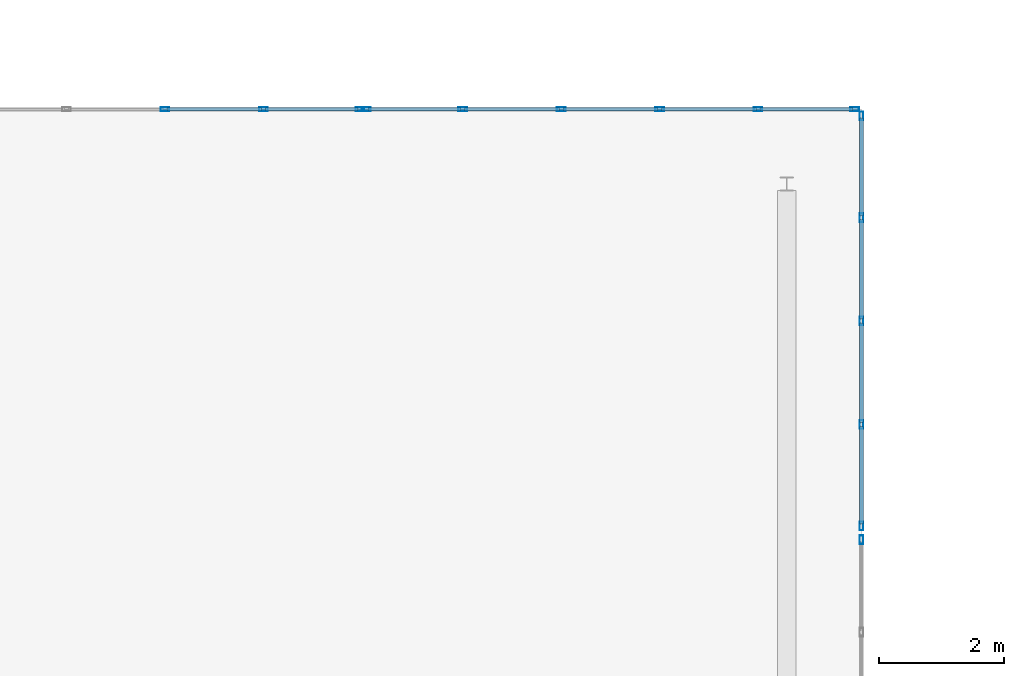
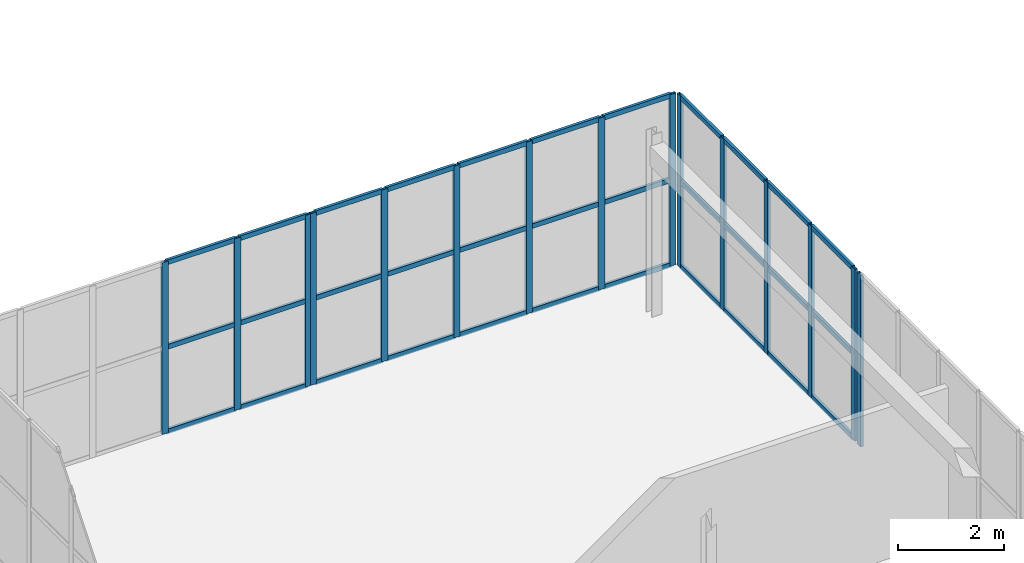
# One storey, part 48 of 81: 48 members, 4 elements without a shape of their own.
"""IFC4 building model written with IfcOpenShell, lengths in metres."""

from ifc_helpers import new_model, si_unit, direction, frame, origin, origin_2d, place, context, subcontext, project, spatial, hollow_rectangle, extrude, material, layer, layer_set, material_profile, profile_set, type_object, element, aggregate, save


model = new_model("IFC4")

# Units and contexts
model_context = context("Model", 3, precision=1e-05, world=origin(), true_north=direction((0.0, 1.0)))
body_context = subcontext(model_context, "Body", "Model", "MODEL_VIEW")
ifc_project = project(units=[si_unit("LENGTHUNIT", "METRE"), si_unit("AREAUNIT", "SQUARE_METRE"), si_unit("VOLUMEUNIT", "CUBIC_METRE"), si_unit("PLANEANGLEUNIT", "RADIAN"), si_unit("MASSUNIT", "GRAM", prefix="KILO")], contexts=[model_context])

# Site, building, storey
site_placement = place(None, origin())
site = spatial("IfcSite", under=ifc_project, at=site_placement, CompositionType="ELEMENT")
building_placement = place(site_placement, origin())
building = spatial("IfcBuilding", under=site, at=building_placement, Name="Trelvath General Hospital", CompositionType="ELEMENT")
storey_placement = place(building_placement, frame((0.0, 0.0, 24.60009765625)))
storey = spatial("IfcBuildingStorey", under=building, at=storey_placement, Name="L06", CompositionType="ELEMENT", Elevation=24.60009765625)

# Curtain wall, members
ifc_material_1 = material(Name="Anodised aluminium and low-E glass", Category="aluminium")
ifc_layer_1 = layer(ifc_material_1, 0.139892578125)
ifc_layer_set_1 = layer_set([ifc_layer_1], Name="Anodised aluminium and low-E glass")
curtain_wall_type_1 = type_object("IfcCurtainWallType", Name="CW CrystalCube 790 396 14", PredefinedType="USERDEFINED", material=ifc_layer_set_1)
curtain_wall_1_placement = place(storey_placement, origin())
curtain_wall_1 = element("IfcCurtainWall", 1, at=curtain_wall_1_placement, inside=storey, type_object=curtain_wall_type_1, Name="Crystal Cube Curtain Wall CUBE-E-T2 N1 L06", ObjectType="Unitised Glazed Curtain Wall", PredefinedType="USERDEFINED")
ifc_material_2 = material(Name="Anodised aluminium", Category="aluminium")
ifc_material_profile_1 = material_profile(ifc_material_2, hollow_rectangle(XDim=0.06005859375, YDim=0.139892578125, WallThickness=0.00390625, at=origin_2d()), Name="RHS60x140x4")
ifc_profile_set_1 = profile_set([ifc_material_profile_1], Name="Anodised aluminium")
member_type_1 = type_object("IfcMemberType", Name="CurtainMullion 60x140", PredefinedType="MULLION", material=ifc_profile_set_1)
member_1_placement = place(storey_placement, frame((97.219970703125, 74.0, 0.0), z_axis=(0.0, 0.0, 1.0), x_axis=(0.0, 1.0, 0.0)))
member_1 = element("IfcMember", 2, at=member_1_placement, type_object=member_type_1, Name="CW-334 mullion 4", PredefinedType="MULLION", context=body_context, shape_type="SweptSolid", body=[
    extrude(hollow_rectangle(XDim=0.06005859375, YDim=0.139892578125, WallThickness=0.00390625, at=origin_2d()), origin(), (0.0, 0.0, 1.0), 3.9599609375),
])
member_2_placement = place(storey_placement, frame((98.800048828125, 74.0, 0.0), z_axis=(0.0, 0.0, 1.0), x_axis=(0.0, 1.0, 0.0)))
member_2 = element("IfcMember", 3, at=member_2_placement, type_object=member_type_1, Name="CW-334 mullion 5", PredefinedType="MULLION", context=body_context, shape_type="SweptSolid", body=[
    extrude(hollow_rectangle(XDim=0.06005859375, YDim=0.139892578125, WallThickness=0.00390625, at=origin_2d()), origin(), (0.0, 0.0, 1.0), 3.9599609375),
])
member_3_placement = place(storey_placement, frame((100.35009765625, 74.0, 0.0), z_axis=(0.0, 0.0, 1.0), x_axis=(0.0, 1.0, 0.0)))
member_3 = element("IfcMember", 4, at=member_3_placement, type_object=member_type_1, Name="CW-334 mullion 6", PredefinedType="MULLION", context=body_context, shape_type="SweptSolid", body=[
    extrude(hollow_rectangle(XDim=0.06005859375, YDim=0.139892578125, WallThickness=0.00390625, at=origin_2d()), origin(), (0.0, 0.0, 1.0), 3.9599609375),
])

curtain_wall_2_placement = place(storey_placement, origin())
curtain_wall_2 = element("IfcCurtainWall", 5, at=curtain_wall_2_placement, inside=storey, type_object=curtain_wall_type_1, Name="Crystal Cube Curtain Wall CUBE-E-T2 N2 L06", ObjectType="Unitised Glazed Curtain Wall", PredefinedType="USERDEFINED")
member_4_placement = place(storey_placement, frame((100.449951171875, 74.0, 0.0), z_axis=(0.0, 0.0, 1.0), x_axis=(0.0, 1.0, 0.0)))
member_4 = element("IfcMember", 6, at=member_4_placement, type_object=member_type_1, Name="CW-335 mullion 1", PredefinedType="MULLION", context=body_context, shape_type="SweptSolid", body=[
    extrude(hollow_rectangle(XDim=0.06005859375, YDim=0.139892578125, WallThickness=0.00390625, at=origin_2d()), origin(), (0.0, 0.0, 1.0), 3.9599609375),
])
member_5_placement = place(storey_placement, frame((102.0, 74.0, 0.0), z_axis=(0.0, 0.0, 1.0), x_axis=(0.0, 1.0, 0.0)))
member_5 = element("IfcMember", 7, at=member_5_placement, type_object=member_type_1, Name="CW-335 mullion 2", PredefinedType="MULLION", context=body_context, shape_type="SweptSolid", body=[
    extrude(hollow_rectangle(XDim=0.06005859375, YDim=0.139892578125, WallThickness=0.00390625, at=origin_2d()), origin(), (0.0, 0.0, 1.0), 3.9599609375),
])
member_6_placement = place(storey_placement, frame((103.580078125, 74.0, 0.0), z_axis=(0.0, 0.0, 1.0), x_axis=(0.0, 1.0, 0.0)))
member_6 = element("IfcMember", 8, at=member_6_placement, type_object=member_type_1, Name="CW-335 mullion 3", PredefinedType="MULLION", context=body_context, shape_type="SweptSolid", body=[
    extrude(hollow_rectangle(XDim=0.06005859375, YDim=0.139892578125, WallThickness=0.00390625, at=origin_2d()), origin(), (0.0, 0.0, 1.0), 3.9599609375),
])
member_7_placement = place(storey_placement, frame((105.159912109375, 74.0, 0.0), z_axis=(0.0, 0.0, 1.0), x_axis=(0.0, 1.0, 0.0)))
member_7 = element("IfcMember", 9, at=member_7_placement, type_object=member_type_1, Name="CW-335 mullion 4", PredefinedType="MULLION", context=body_context, shape_type="SweptSolid", body=[
    extrude(hollow_rectangle(XDim=0.06005859375, YDim=0.139892578125, WallThickness=0.00390625, at=origin_2d()), origin(), (0.0, 0.0, 1.0), 3.9599609375),
])
member_8_placement = place(storey_placement, frame((106.739990234375, 74.0, 0.0), z_axis=(0.0, 0.0, 1.0), x_axis=(0.0, 1.0, 0.0)))
member_8 = element("IfcMember", 10, at=member_8_placement, type_object=member_type_1, Name="CW-335 mullion 5", PredefinedType="MULLION", context=body_context, shape_type="SweptSolid", body=[
    extrude(hollow_rectangle(XDim=0.06005859375, YDim=0.139892578125, WallThickness=0.00390625, at=origin_2d()), origin(), (0.0, 0.0, 1.0), 3.9599609375),
])
member_9_placement = place(storey_placement, frame((108.2900390625, 74.0, 0.0), z_axis=(0.0, 0.0, 1.0), x_axis=(0.0, 1.0, 0.0)))
member_9 = element("IfcMember", 11, at=member_9_placement, type_object=member_type_1, Name="CW-335 mullion 6", PredefinedType="MULLION", context=body_context, shape_type="SweptSolid", body=[
    extrude(hollow_rectangle(XDim=0.06005859375, YDim=0.139892578125, WallThickness=0.00390625, at=origin_2d()), origin(), (0.0, 0.0, 1.0), 3.9599609375),
])

# Curtain wall, member
ifc_material_3 = material(Name="Anodised aluminium and low-E glass", Category="aluminium")
ifc_layer_2 = layer(ifc_material_3, 0.139892578125)
ifc_layer_set_2 = layer_set([ifc_layer_2], Name="Anodised aluminium and low-E glass")
curtain_wall_type_2 = type_object("IfcCurtainWallType", Name="CW CrystalCube 1664 396 14", PredefinedType="USERDEFINED", material=ifc_layer_set_2)
curtain_wall_3_placement = place(storey_placement, origin())
curtain_wall_3 = element("IfcCurtainWall", 12, at=curtain_wall_3_placement, inside=storey, type_object=curtain_wall_type_2, Name="Crystal Cube Curtain Wall CUBE-E-T2 E2 L06", ObjectType="Unitised Glazed Curtain Wall", PredefinedType="USERDEFINED")
member_10_placement = place(storey_placement, frame((108.39990234375, 67.090087890625, 0.0), z_axis=(0.0, 0.0, 1.0), x_axis=(1.0, 0.0, 0.0)))
member_10 = element("IfcMember", 13, at=member_10_placement, type_object=member_type_1, Name="CW-337 mullion 1", PredefinedType="MULLION", context=body_context, shape_type="SweptSolid", body=[
    extrude(hollow_rectangle(XDim=0.06005859375, YDim=0.139892578125, WallThickness=0.00390625, at=origin_2d()), origin(), (0.0, 0.0, 1.0), 3.9599609375),
])
aggregate(curtain_wall_3, [member_10])

# Curtain wall, members
ifc_material_4 = material(Name="Anodised aluminium and low-E glass", Category="aluminium")
ifc_layer_3 = layer(ifc_material_4, 0.139892578125)
ifc_layer_set_3 = layer_set([ifc_layer_3], Name="Anodised aluminium and low-E glass")
curtain_wall_type_3 = type_object("IfcCurtainWallType", Name="CW CrystalCube 664 396 14", PredefinedType="USERDEFINED", material=ifc_layer_set_3)
curtain_wall_4_placement = place(storey_placement, origin())
curtain_wall_4 = element("IfcCurtainWall", 14, at=curtain_wall_4_placement, inside=storey, type_object=curtain_wall_type_3, Name="Crystal Cube Curtain Wall CUBE-E-T2 E3 L06", ObjectType="Unitised Glazed Curtain Wall", PredefinedType="USERDEFINED")
member_11_placement = place(storey_placement, frame((108.39990234375, 73.889892578125, 0.0), z_axis=(0.0, 0.0, 1.0), x_axis=(1.0, 0.0, 0.0)))
member_11 = element("IfcMember", 15, at=member_11_placement, type_object=member_type_1, Name="CW-338 mullion 1", PredefinedType="MULLION", context=body_context, shape_type="SweptSolid", body=[
    extrude(hollow_rectangle(XDim=0.06005859375, YDim=0.139892578125, WallThickness=0.00390625, at=origin_2d()), origin(), (0.0, 0.0, 1.0), 3.9599609375),
])
member_12_placement = place(storey_placement, frame((108.39990234375, 72.260009765625, 0.0), z_axis=(0.0, 0.0, 1.0), x_axis=(1.0, 0.0, 0.0)))
member_12 = element("IfcMember", 16, at=member_12_placement, type_object=member_type_1, Name="CW-338 mullion 2", PredefinedType="MULLION", context=body_context, shape_type="SweptSolid", body=[
    extrude(hollow_rectangle(XDim=0.06005859375, YDim=0.139892578125, WallThickness=0.00390625, at=origin_2d()), origin(), (0.0, 0.0, 1.0), 3.9599609375),
])
member_13_placement = place(storey_placement, frame((108.39990234375, 70.60009765625, 0.0), z_axis=(0.0, 0.0, 1.0), x_axis=(1.0, 0.0, 0.0)))
member_13 = element("IfcMember", 17, at=member_13_placement, type_object=member_type_1, Name="CW-338 mullion 3", PredefinedType="MULLION", context=body_context, shape_type="SweptSolid", body=[
    extrude(hollow_rectangle(XDim=0.06005859375, YDim=0.139892578125, WallThickness=0.00390625, at=origin_2d()), origin(), (0.0, 0.0, 1.0), 3.9599609375),
])
member_14_placement = place(storey_placement, frame((108.39990234375, 68.93994140625, 0.0), z_axis=(0.0, 0.0, 1.0), x_axis=(1.0, 0.0, 0.0)))
member_14 = element("IfcMember", 18, at=member_14_placement, type_object=member_type_1, Name="CW-338 mullion 4", PredefinedType="MULLION", context=body_context, shape_type="SweptSolid", body=[
    extrude(hollow_rectangle(XDim=0.06005859375, YDim=0.139892578125, WallThickness=0.00390625, at=origin_2d()), origin(), (0.0, 0.0, 1.0), 3.9599609375),
])
member_15_placement = place(storey_placement, frame((108.39990234375, 67.31005859375, 0.0), z_axis=(0.0, 0.0, 1.0), x_axis=(1.0, 0.0, 0.0)))
member_15 = element("IfcMember", 19, at=member_15_placement, type_object=member_type_1, Name="CW-338 mullion 5", PredefinedType="MULLION", context=body_context, shape_type="SweptSolid", body=[
    extrude(hollow_rectangle(XDim=0.06005859375, YDim=0.139892578125, WallThickness=0.00390625, at=origin_2d()), origin(), (0.0, 0.0, 1.0), 3.9599609375),
])

# Member
ifc_material_5 = material(Name="Anodised aluminium", Category="aluminium")
ifc_material_profile_2 = material_profile(ifc_material_5, hollow_rectangle(XDim=0.06005859375, YDim=0.110107421875, WallThickness=0.00390625, at=origin_2d()), Name="RHS60x110x4")
ifc_profile_set_2 = profile_set([ifc_material_profile_2], Name="Anodised aluminium")
member_type_2 = type_object("IfcMemberType", Name="CurtainTransom 60x110", PredefinedType="USERDEFINED", material=ifc_profile_set_2)
member_16_placement = place(storey_placement, frame((97.25, 74.0, 0.02978515625), z_axis=(1.0, 0.0, 0.0), x_axis=(0.0, 1.0, 0.0)))
member_16 = element("IfcMember", 20, at=member_16_placement, type_object=member_type_2, Name="CW-334 transom 4.1", ObjectType="TRANSOM", PredefinedType="USERDEFINED", context=body_context, shape_type="SweptSolid", body=[
    extrude(hollow_rectangle(XDim=0.06005859375, YDim=0.110107421875, WallThickness=0.00390625, at=origin_2d()), origin(), (0.0, 0.0, 1.0), 1.52001953125),
])

member_17_placement = place(storey_placement, frame((97.25, 74.0, 1.97998046875), z_axis=(1.0, 0.0, 0.0), x_axis=(0.0, 1.0, 0.0)))
member_17 = element("IfcMember", 21, at=member_17_placement, type_object=member_type_2, Name="CW-334 transom 4.2", ObjectType="TRANSOM", PredefinedType="USERDEFINED", context=body_context, shape_type="SweptSolid", body=[
    extrude(hollow_rectangle(XDim=0.06005859375, YDim=0.110107421875, WallThickness=0.00390625, at=origin_2d()), origin(), (0.0, 0.0, 1.0), 1.52001953125),
])

member_18_placement = place(storey_placement, frame((97.25, 74.0, 3.929931640625), z_axis=(1.0, 0.0, 0.0), x_axis=(0.0, 1.0, 0.0)))
member_18 = element("IfcMember", 22, at=member_18_placement, type_object=member_type_2, Name="CW-334 transom 4.3", ObjectType="TRANSOM", PredefinedType="USERDEFINED", context=body_context, shape_type="SweptSolid", body=[
    extrude(hollow_rectangle(XDim=0.06005859375, YDim=0.110107421875, WallThickness=0.00390625, at=origin_2d()), origin(), (0.0, 0.0, 1.0), 1.52001953125),
])

member_19_placement = place(storey_placement, frame((98.830078125, 74.0, 0.02978515625), z_axis=(1.0, 0.0, 0.0), x_axis=(0.0, 1.0, 0.0)))
member_19 = element("IfcMember", 23, at=member_19_placement, type_object=member_type_2, Name="CW-334 transom 5.1", ObjectType="TRANSOM", PredefinedType="USERDEFINED", context=body_context, shape_type="SweptSolid", body=[
    extrude(hollow_rectangle(XDim=0.06005859375, YDim=0.110107421875, WallThickness=0.00390625, at=origin_2d()), origin(), (0.0, 0.0, 1.0), 1.489990234375),
])

member_20_placement = place(storey_placement, frame((98.830078125, 74.0, 1.97998046875), z_axis=(1.0, 0.0, 0.0), x_axis=(0.0, 1.0, 0.0)))
member_20 = element("IfcMember", 24, at=member_20_placement, type_object=member_type_2, Name="CW-334 transom 5.2", ObjectType="TRANSOM", PredefinedType="USERDEFINED", context=body_context, shape_type="SweptSolid", body=[
    extrude(hollow_rectangle(XDim=0.06005859375, YDim=0.110107421875, WallThickness=0.00390625, at=origin_2d()), origin(), (0.0, 0.0, 1.0), 1.489990234375),
])

member_21_placement = place(storey_placement, frame((98.830078125, 74.0, 3.929931640625), z_axis=(1.0, 0.0, 0.0), x_axis=(0.0, 1.0, 0.0)))
member_21 = element("IfcMember", 25, at=member_21_placement, type_object=member_type_2, Name="CW-334 transom 5.3", ObjectType="TRANSOM", PredefinedType="USERDEFINED", context=body_context, shape_type="SweptSolid", body=[
    extrude(hollow_rectangle(XDim=0.06005859375, YDim=0.110107421875, WallThickness=0.00390625, at=origin_2d()), origin(), (0.0, 0.0, 1.0), 1.489990234375),
])

aggregate(curtain_wall_1, [member_1, member_2, member_3, member_16, member_17, member_18, member_19, member_20, member_21])

member_22_placement = place(storey_placement, frame((100.47998046875, 74.0, 0.02978515625), z_axis=(1.0, 0.0, 0.0), x_axis=(0.0, 1.0, 0.0)))
member_22 = element("IfcMember", 26, at=member_22_placement, type_object=member_type_2, Name="CW-335 transom 1.1", ObjectType="TRANSOM", PredefinedType="USERDEFINED", context=body_context, shape_type="SweptSolid", body=[
    extrude(hollow_rectangle(XDim=0.06005859375, YDim=0.110107421875, WallThickness=0.00390625, at=origin_2d()), origin(), (0.0, 0.0, 1.0), 1.489990234375),
])

member_23_placement = place(storey_placement, frame((100.47998046875, 74.0, 1.97998046875), z_axis=(1.0, 0.0, 0.0), x_axis=(0.0, 1.0, 0.0)))
member_23 = element("IfcMember", 27, at=member_23_placement, type_object=member_type_2, Name="CW-335 transom 1.2", ObjectType="TRANSOM", PredefinedType="USERDEFINED", context=body_context, shape_type="SweptSolid", body=[
    extrude(hollow_rectangle(XDim=0.06005859375, YDim=0.110107421875, WallThickness=0.00390625, at=origin_2d()), origin(), (0.0, 0.0, 1.0), 1.489990234375),
])

member_24_placement = place(storey_placement, frame((100.47998046875, 74.0, 3.929931640625), z_axis=(1.0, 0.0, 0.0), x_axis=(0.0, 1.0, 0.0)))
member_24 = element("IfcMember", 28, at=member_24_placement, type_object=member_type_2, Name="CW-335 transom 1.3", ObjectType="TRANSOM", PredefinedType="USERDEFINED", context=body_context, shape_type="SweptSolid", body=[
    extrude(hollow_rectangle(XDim=0.06005859375, YDim=0.110107421875, WallThickness=0.00390625, at=origin_2d()), origin(), (0.0, 0.0, 1.0), 1.489990234375),
])

member_25_placement = place(storey_placement, frame((102.030029296875, 74.0, 0.02978515625), z_axis=(1.0, 0.0, 0.0), x_axis=(0.0, 1.0, 0.0)))
member_25 = element("IfcMember", 29, at=member_25_placement, type_object=member_type_2, Name="CW-335 transom 2.1", ObjectType="TRANSOM", PredefinedType="USERDEFINED", context=body_context, shape_type="SweptSolid", body=[
    extrude(hollow_rectangle(XDim=0.06005859375, YDim=0.110107421875, WallThickness=0.00390625, at=origin_2d()), origin(), (0.0, 0.0, 1.0), 1.52001953125),
])

member_26_placement = place(storey_placement, frame((102.030029296875, 74.0, 1.97998046875), z_axis=(1.0, 0.0, 0.0), x_axis=(0.0, 1.0, 0.0)))
member_26 = element("IfcMember", 30, at=member_26_placement, type_object=member_type_2, Name="CW-335 transom 2.2", ObjectType="TRANSOM", PredefinedType="USERDEFINED", context=body_context, shape_type="SweptSolid", body=[
    extrude(hollow_rectangle(XDim=0.06005859375, YDim=0.110107421875, WallThickness=0.00390625, at=origin_2d()), origin(), (0.0, 0.0, 1.0), 1.52001953125),
])

member_27_placement = place(storey_placement, frame((102.030029296875, 74.0, 3.929931640625), z_axis=(1.0, 0.0, 0.0), x_axis=(0.0, 1.0, 0.0)))
member_27 = element("IfcMember", 31, at=member_27_placement, type_object=member_type_2, Name="CW-335 transom 2.3", ObjectType="TRANSOM", PredefinedType="USERDEFINED", context=body_context, shape_type="SweptSolid", body=[
    extrude(hollow_rectangle(XDim=0.06005859375, YDim=0.110107421875, WallThickness=0.00390625, at=origin_2d()), origin(), (0.0, 0.0, 1.0), 1.52001953125),
])

member_28_placement = place(storey_placement, frame((103.610107421875, 74.0, 0.02978515625), z_axis=(1.0, 0.0, 0.0), x_axis=(0.0, 1.0, 0.0)))
member_28 = element("IfcMember", 32, at=member_28_placement, type_object=member_type_2, Name="CW-335 transom 3.1", ObjectType="TRANSOM", PredefinedType="USERDEFINED", context=body_context, shape_type="SweptSolid", body=[
    extrude(hollow_rectangle(XDim=0.06005859375, YDim=0.110107421875, WallThickness=0.00390625, at=origin_2d()), origin(), (0.0, 0.0, 1.0), 1.519775390625),
])

member_29_placement = place(storey_placement, frame((103.610107421875, 74.0, 1.97998046875), z_axis=(1.0, 0.0, 0.0), x_axis=(0.0, 1.0, 0.0)))
member_29 = element("IfcMember", 33, at=member_29_placement, type_object=member_type_2, Name="CW-335 transom 3.2", ObjectType="TRANSOM", PredefinedType="USERDEFINED", context=body_context, shape_type="SweptSolid", body=[
    extrude(hollow_rectangle(XDim=0.06005859375, YDim=0.110107421875, WallThickness=0.00390625, at=origin_2d()), origin(), (0.0, 0.0, 1.0), 1.519775390625),
])

member_30_placement = place(storey_placement, frame((103.610107421875, 74.0, 3.929931640625), z_axis=(1.0, 0.0, 0.0), x_axis=(0.0, 1.0, 0.0)))
member_30 = element("IfcMember", 34, at=member_30_placement, type_object=member_type_2, Name="CW-335 transom 3.3", ObjectType="TRANSOM", PredefinedType="USERDEFINED", context=body_context, shape_type="SweptSolid", body=[
    extrude(hollow_rectangle(XDim=0.06005859375, YDim=0.110107421875, WallThickness=0.00390625, at=origin_2d()), origin(), (0.0, 0.0, 1.0), 1.519775390625),
])

member_31_placement = place(storey_placement, frame((105.18994140625, 74.0, 0.02978515625), z_axis=(1.0, 0.0, 0.0), x_axis=(0.0, 1.0, 0.0)))
member_31 = element("IfcMember", 35, at=member_31_placement, type_object=member_type_2, Name="CW-335 transom 4.1", ObjectType="TRANSOM", PredefinedType="USERDEFINED", context=body_context, shape_type="SweptSolid", body=[
    extrude(hollow_rectangle(XDim=0.06005859375, YDim=0.110107421875, WallThickness=0.00390625, at=origin_2d()), origin(), (0.0, 0.0, 1.0), 1.52001953125),
])

member_32_placement = place(storey_placement, frame((105.18994140625, 74.0, 1.97998046875), z_axis=(1.0, 0.0, 0.0), x_axis=(0.0, 1.0, 0.0)))
member_32 = element("IfcMember", 36, at=member_32_placement, type_object=member_type_2, Name="CW-335 transom 4.2", ObjectType="TRANSOM", PredefinedType="USERDEFINED", context=body_context, shape_type="SweptSolid", body=[
    extrude(hollow_rectangle(XDim=0.06005859375, YDim=0.110107421875, WallThickness=0.00390625, at=origin_2d()), origin(), (0.0, 0.0, 1.0), 1.52001953125),
])

member_33_placement = place(storey_placement, frame((105.18994140625, 74.0, 3.929931640625), z_axis=(1.0, 0.0, 0.0), x_axis=(0.0, 1.0, 0.0)))
member_33 = element("IfcMember", 37, at=member_33_placement, type_object=member_type_2, Name="CW-335 transom 4.3", ObjectType="TRANSOM", PredefinedType="USERDEFINED", context=body_context, shape_type="SweptSolid", body=[
    extrude(hollow_rectangle(XDim=0.06005859375, YDim=0.110107421875, WallThickness=0.00390625, at=origin_2d()), origin(), (0.0, 0.0, 1.0), 1.52001953125),
])

member_34_placement = place(storey_placement, frame((106.77001953125, 74.0, 0.02978515625), z_axis=(1.0, 0.0, 0.0), x_axis=(0.0, 1.0, 0.0)))
member_34 = element("IfcMember", 38, at=member_34_placement, type_object=member_type_2, Name="CW-335 transom 5.1", ObjectType="TRANSOM", PredefinedType="USERDEFINED", context=body_context, shape_type="SweptSolid", body=[
    extrude(hollow_rectangle(XDim=0.06005859375, YDim=0.110107421875, WallThickness=0.00390625, at=origin_2d()), origin(), (0.0, 0.0, 1.0), 1.489990234375),
])

member_35_placement = place(storey_placement, frame((106.77001953125, 74.0, 1.97998046875), z_axis=(1.0, 0.0, 0.0), x_axis=(0.0, 1.0, 0.0)))
member_35 = element("IfcMember", 39, at=member_35_placement, type_object=member_type_2, Name="CW-335 transom 5.2", ObjectType="TRANSOM", PredefinedType="USERDEFINED", context=body_context, shape_type="SweptSolid", body=[
    extrude(hollow_rectangle(XDim=0.06005859375, YDim=0.110107421875, WallThickness=0.00390625, at=origin_2d()), origin(), (0.0, 0.0, 1.0), 1.489990234375),
])

member_36_placement = place(storey_placement, frame((106.77001953125, 74.0, 3.929931640625), z_axis=(1.0, 0.0, 0.0), x_axis=(0.0, 1.0, 0.0)))
member_36 = element("IfcMember", 40, at=member_36_placement, type_object=member_type_2, Name="CW-335 transom 5.3", ObjectType="TRANSOM", PredefinedType="USERDEFINED", context=body_context, shape_type="SweptSolid", body=[
    extrude(hollow_rectangle(XDim=0.06005859375, YDim=0.110107421875, WallThickness=0.00390625, at=origin_2d()), origin(), (0.0, 0.0, 1.0), 1.489990234375),
])

aggregate(curtain_wall_2, [member_4, member_5, member_6, member_7, member_8, member_9, member_22, member_23, member_24, member_25, member_26, member_27, member_28, member_29, member_30, member_31, member_32, member_33, member_34, member_35, member_36])

member_37_placement = place(storey_placement, frame((108.39990234375, 73.860107421875, 0.02978515625), z_axis=(0.0, -1.0, 0.0), x_axis=(1.0, 0.0, 0.0)))
member_37 = element("IfcMember", 41, at=member_37_placement, type_object=member_type_2, Name="CW-338 transom 1.1", ObjectType="TRANSOM", PredefinedType="USERDEFINED", context=body_context, shape_type="SweptSolid", body=[
    extrude(hollow_rectangle(XDim=0.06005859375, YDim=0.110107421875, WallThickness=0.00390625, at=origin_2d()), origin(), (0.0, 0.0, 1.0), 1.570068359375),
])

member_38_placement = place(storey_placement, frame((108.39990234375, 73.860107421875, 1.97998046875), z_axis=(0.0, -1.0, 0.0), x_axis=(1.0, 0.0, 0.0)))
member_38 = element("IfcMember", 42, at=member_38_placement, type_object=member_type_2, Name="CW-338 transom 1.2", ObjectType="TRANSOM", PredefinedType="USERDEFINED", context=body_context, shape_type="SweptSolid", body=[
    extrude(hollow_rectangle(XDim=0.06005859375, YDim=0.110107421875, WallThickness=0.00390625, at=origin_2d()), origin(), (0.0, 0.0, 1.0), 1.570068359375),
])

member_39_placement = place(storey_placement, frame((108.39990234375, 73.860107421875, 3.929931640625), z_axis=(0.0, -1.0, 0.0), x_axis=(1.0, 0.0, 0.0)))
member_39 = element("IfcMember", 43, at=member_39_placement, type_object=member_type_2, Name="CW-338 transom 1.3", ObjectType="TRANSOM", PredefinedType="USERDEFINED", context=body_context, shape_type="SweptSolid", body=[
    extrude(hollow_rectangle(XDim=0.06005859375, YDim=0.110107421875, WallThickness=0.00390625, at=origin_2d()), origin(), (0.0, 0.0, 1.0), 1.570068359375),
])

member_40_placement = place(storey_placement, frame((108.39990234375, 72.22998046875, 0.02978515625), z_axis=(0.0, -1.0, 0.0), x_axis=(1.0, 0.0, 0.0)))
member_40 = element("IfcMember", 44, at=member_40_placement, type_object=member_type_2, Name="CW-338 transom 2.1", ObjectType="TRANSOM", PredefinedType="USERDEFINED", context=body_context, shape_type="SweptSolid", body=[
    extrude(hollow_rectangle(XDim=0.06005859375, YDim=0.110107421875, WallThickness=0.00390625, at=origin_2d()), origin(), (0.0, 0.0, 1.0), 1.60009765625),
])

member_41_placement = place(storey_placement, frame((108.39990234375, 72.22998046875, 1.97998046875), z_axis=(0.0, -1.0, 0.0), x_axis=(1.0, 0.0, 0.0)))
member_41 = element("IfcMember", 45, at=member_41_placement, type_object=member_type_2, Name="CW-338 transom 2.2", ObjectType="TRANSOM", PredefinedType="USERDEFINED", context=body_context, shape_type="SweptSolid", body=[
    extrude(hollow_rectangle(XDim=0.06005859375, YDim=0.110107421875, WallThickness=0.00390625, at=origin_2d()), origin(), (0.0, 0.0, 1.0), 1.60009765625),
])

member_42_placement = place(storey_placement, frame((108.39990234375, 72.22998046875, 3.929931640625), z_axis=(0.0, -1.0, 0.0), x_axis=(1.0, 0.0, 0.0)))
member_42 = element("IfcMember", 46, at=member_42_placement, type_object=member_type_2, Name="CW-338 transom 2.3", ObjectType="TRANSOM", PredefinedType="USERDEFINED", context=body_context, shape_type="SweptSolid", body=[
    extrude(hollow_rectangle(XDim=0.06005859375, YDim=0.110107421875, WallThickness=0.00390625, at=origin_2d()), origin(), (0.0, 0.0, 1.0), 1.60009765625),
])

member_43_placement = place(storey_placement, frame((108.39990234375, 70.570068359375, 0.02978515625), z_axis=(0.0, -1.0, 0.0), x_axis=(1.0, 0.0, 0.0)))
member_43 = element("IfcMember", 47, at=member_43_placement, type_object=member_type_2, Name="CW-338 transom 3.1", ObjectType="TRANSOM", PredefinedType="USERDEFINED", context=body_context, shape_type="SweptSolid", body=[
    extrude(hollow_rectangle(XDim=0.06005859375, YDim=0.110107421875, WallThickness=0.00390625, at=origin_2d()), origin(), (0.0, 0.0, 1.0), 1.60009765625),
])

member_44_placement = place(storey_placement, frame((108.39990234375, 70.570068359375, 1.97998046875), z_axis=(0.0, -1.0, 0.0), x_axis=(1.0, 0.0, 0.0)))
member_44 = element("IfcMember", 48, at=member_44_placement, type_object=member_type_2, Name="CW-338 transom 3.2", ObjectType="TRANSOM", PredefinedType="USERDEFINED", context=body_context, shape_type="SweptSolid", body=[
    extrude(hollow_rectangle(XDim=0.06005859375, YDim=0.110107421875, WallThickness=0.00390625, at=origin_2d()), origin(), (0.0, 0.0, 1.0), 1.60009765625),
])

member_45_placement = place(storey_placement, frame((108.39990234375, 70.570068359375, 3.929931640625), z_axis=(0.0, -1.0, 0.0), x_axis=(1.0, 0.0, 0.0)))
member_45 = element("IfcMember", 49, at=member_45_placement, type_object=member_type_2, Name="CW-338 transom 3.3", ObjectType="TRANSOM", PredefinedType="USERDEFINED", context=body_context, shape_type="SweptSolid", body=[
    extrude(hollow_rectangle(XDim=0.06005859375, YDim=0.110107421875, WallThickness=0.00390625, at=origin_2d()), origin(), (0.0, 0.0, 1.0), 1.60009765625),
])

member_46_placement = place(storey_placement, frame((108.39990234375, 68.909912109375, 0.02978515625), z_axis=(0.0, -1.0, 0.0), x_axis=(1.0, 0.0, 0.0)))
member_46 = element("IfcMember", 50, at=member_46_placement, type_object=member_type_2, Name="CW-338 transom 4.1", ObjectType="TRANSOM", PredefinedType="USERDEFINED", context=body_context, shape_type="SweptSolid", body=[
    extrude(hollow_rectangle(XDim=0.06005859375, YDim=0.110107421875, WallThickness=0.00390625, at=origin_2d()), origin(), (0.0, 0.0, 1.0), 1.56982421875),
])

member_47_placement = place(storey_placement, frame((108.39990234375, 68.909912109375, 1.97998046875), z_axis=(0.0, -1.0, 0.0), x_axis=(1.0, 0.0, 0.0)))
member_47 = element("IfcMember", 51, at=member_47_placement, type_object=member_type_2, Name="CW-338 transom 4.2", ObjectType="TRANSOM", PredefinedType="USERDEFINED", context=body_context, shape_type="SweptSolid", body=[
    extrude(hollow_rectangle(XDim=0.06005859375, YDim=0.110107421875, WallThickness=0.00390625, at=origin_2d()), origin(), (0.0, 0.0, 1.0), 1.56982421875),
])

member_48_placement = place(storey_placement, frame((108.39990234375, 68.909912109375, 3.929931640625), z_axis=(0.0, -1.0, 0.0), x_axis=(1.0, 0.0, 0.0)))
member_48 = element("IfcMember", 52, at=member_48_placement, type_object=member_type_2, Name="CW-338 transom 4.3", ObjectType="TRANSOM", PredefinedType="USERDEFINED", context=body_context, shape_type="SweptSolid", body=[
    extrude(hollow_rectangle(XDim=0.06005859375, YDim=0.110107421875, WallThickness=0.00390625, at=origin_2d()), origin(), (0.0, 0.0, 1.0), 1.56982421875),
])

aggregate(curtain_wall_4, [member_11, member_12, member_13, member_14, member_15, member_37, member_38, member_39, member_40, member_41, member_42, member_43, member_44, member_45, member_46, member_47, member_48])

save(model, "model.ifc")
